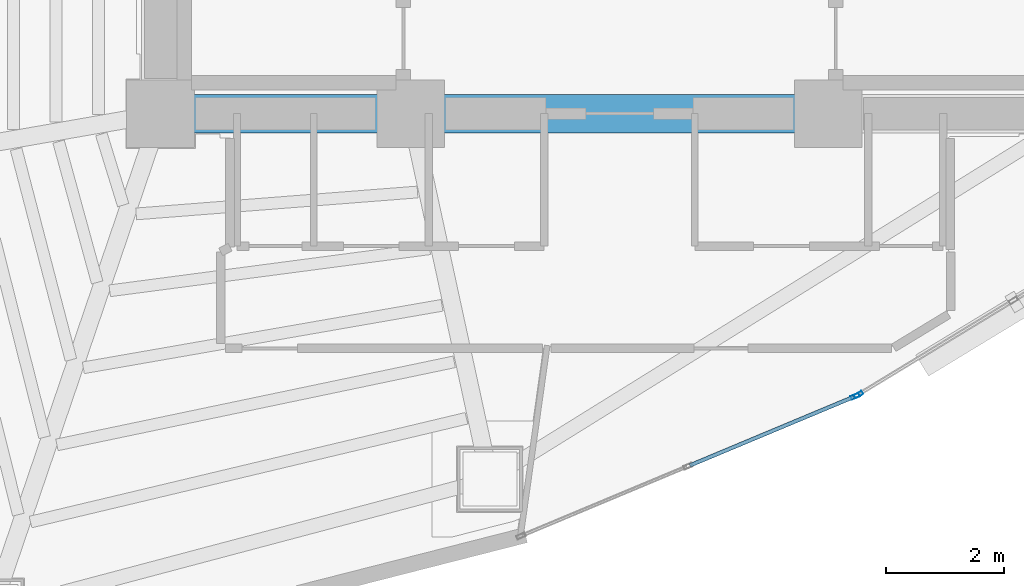
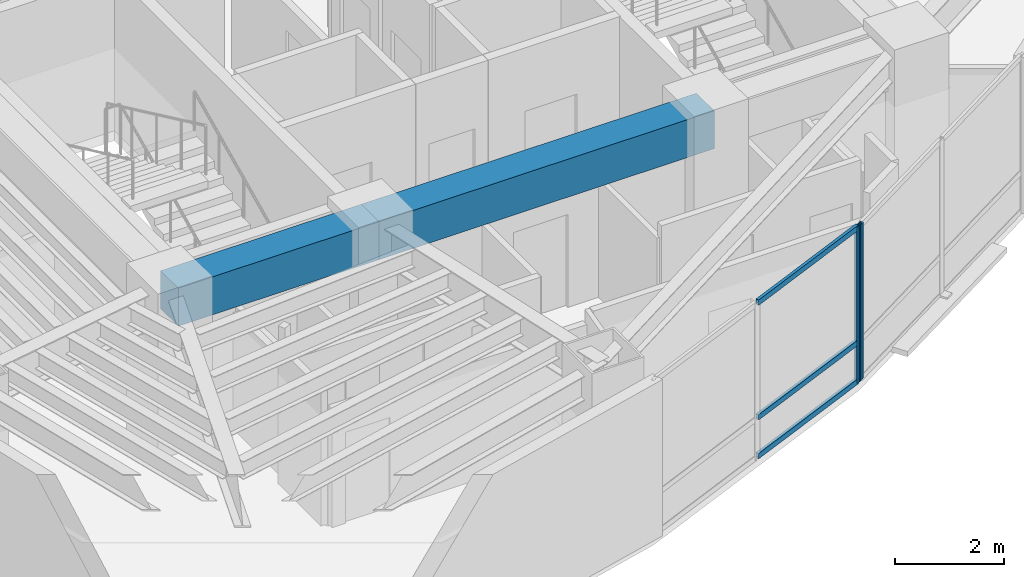
# One storey, part 4 of 15: 5 members, 2 beams, 2 elements without a shape of their own.
"""IFC4 building model written with IfcOpenShell, lengths in metres."""

from ifc_helpers import new_model, si_unit, direction, frame, origin, origin_2d, place, context, subcontext, project, spatial, rectangle, hollow_rectangle, extrude, material, layer, layer_set, material_profile, profile_set, type_object, element, aggregate, save


model = new_model("IFC4")

# Units and contexts
model_context = context("Model", 3, precision=1e-05, world=origin(), true_north=direction((0.0, 1.0)))
body_context = subcontext(model_context, "Body", "Model", "MODEL_VIEW")
ifc_project = project(units=[si_unit("LENGTHUNIT", "METRE"), si_unit("AREAUNIT", "SQUARE_METRE"), si_unit("VOLUMEUNIT", "CUBIC_METRE"), si_unit("PLANEANGLEUNIT", "RADIAN"), si_unit("MASSUNIT", "GRAM", prefix="KILO")], contexts=[model_context])

# Site, building, storey
site_placement = place(None, origin())
site = spatial("IfcSite", under=ifc_project, at=site_placement, CompositionType="ELEMENT")
building_placement = place(site_placement, origin())
building = spatial("IfcBuilding", under=site, at=building_placement, Name="Menara Vayukalpa", CompositionType="ELEMENT")
storey_placement = place(building_placement, frame((0.0, 0.0, 137.4599609375)))
storey = spatial("IfcBuildingStorey", under=building, at=storey_placement, Name="L34", CompositionType="ELEMENT", Elevation=137.4599609375)

# Beams
ifc_material_1 = material(Name="Concrete C60/75", Category="concrete")
ifc_material_profile_1 = material_profile(ifc_material_1, rectangle(XDim=0.64990234375, YDim=0.85009765625, at=origin_2d()), Name="RC 650x850")
ifc_profile_set_1 = profile_set([ifc_material_profile_1], Name="Concrete C60/75")
beam_type = type_object("IfcBeamType", Name="BM-CB1", PredefinedType="BEAM", material=ifc_profile_set_1)
beam_1_placement = place(storey_placement, frame((17.800048828125, 17.199951171875, 3.074951171875), z_axis=(1.0, 0.0, 0.0), x_axis=(0.0, 1.0, 0.0)))
element("IfcBeam", 1, at=beam_1_placement, inside=storey, type_object=beam_type, Name="L34 Core Tie Beam CBR1", PredefinedType="BEAM", context=body_context, shape_type="SweptSolid", body=[
    extrude(rectangle(XDim=0.64990234375, YDim=0.85009765625, at=origin_2d()), origin(), (0.0, 0.0, 1.0), 4.25),
])
beam_2_placement = place(storey_placement, frame((22.050048828125, 17.199951171875, 3.074951171875), z_axis=(1.0, 0.0, 0.0), x_axis=(0.0, 1.0, 0.0)))
element("IfcBeam", 2, at=beam_2_placement, inside=storey, type_object=beam_type, Name="L34 Core Tie Beam CBR2", PredefinedType="BEAM", context=body_context, shape_type="SweptSolid", body=[
    extrude(rectangle(XDim=0.64990234375, YDim=0.85009765625, at=origin_2d()), origin(), (0.0, 0.0, 1.0), 7.099853515625),
])

# Curtain wall, member
ifc_material_2 = material(Name="Anodised Terracotta Aluminium Alloy 6063-T6", Category="masonry")
ifc_layer = layer(ifc_material_2, 0.14990234375)
ifc_layer_set = layer_set([ifc_layer], Name="Anodised Terracotta Aluminium Alloy 6063-T6")
curtain_wall_type = type_object("IfcCurtainWallType", Name="CW-CW3", PredefinedType="USERDEFINED", material=ifc_layer_set)
curtain_wall_1_placement = place(storey_placement, origin())
curtain_wall_1 = element("IfcCurtainWall", 3, at=curtain_wall_1_placement, inside=storey, type_object=curtain_wall_type, Name="L34 Mid Rise Terracotta Ribbon Curtain Wall CW3 16", ObjectType="UNITISED", PredefinedType="USERDEFINED")
ifc_material_3 = material(Name="Anodised Terracotta Aluminium Alloy 6063-T6", Category="masonry")
ifc_material_profile_2 = material_profile(ifc_material_3, hollow_rectangle(XDim=0.06494140625, YDim=0.14990234375, WallThickness=0.00341796875, at=origin_2d()), Name="ALU 65x150x3.5")
ifc_profile_set_2 = profile_set([ifc_material_profile_2], Name="Anodised Terracotta Aluminium Alloy 6063-T6")
member_type_1 = type_object("IfcMemberType", Name="CWM-CW3", PredefinedType="MULLION", material=ifc_profile_set_2)
member_1_placement = place(storey_placement, frame((29.606689453125, 12.396484375, 0.0), z_axis=(0.0, 0.0, 1.0), x_axis=(-0.385886210456, 0.922546385056, 0.0)))
member_1 = element("IfcMember", 4, at=member_1_placement, type_object=member_type_1, Name="CW3 mullion 3", PredefinedType="MULLION", context=body_context, shape_type="SweptSolid", body=[
    extrude(hollow_rectangle(XDim=0.06494140625, YDim=0.14990234375, WallThickness=0.00341796875, at=origin_2d()), origin(), (0.0, 0.0, 1.0), 3.5),
])

curtain_wall_2_placement = place(storey_placement, origin())
curtain_wall_2 = element("IfcCurtainWall", 5, at=curtain_wall_2_placement, inside=storey, type_object=curtain_wall_type, Name="L34 Mid Rise Terracotta Ribbon Curtain Wall CW3 17", ObjectType="UNITISED", PredefinedType="USERDEFINED")
member_2_placement = place(storey_placement, frame((29.66455078125, 12.42578125, 0.0), z_axis=(0.0, 0.0, 1.0), x_axis=(-0.519195768176, 0.854655342409, 0.0)))
member_2 = element("IfcMember", 6, at=member_2_placement, type_object=member_type_1, Name="CW3 mullion 1", PredefinedType="MULLION", context=body_context, shape_type="SweptSolid", body=[
    extrude(hollow_rectangle(XDim=0.06494140625, YDim=0.14990234375, WallThickness=0.00341796875, at=origin_2d()), origin(), (0.0, 0.0, 1.0), 3.5),
])
aggregate(curtain_wall_2, [member_2])

# Member
ifc_material_4 = material(Name="Anodised Terracotta Aluminium Alloy 6063-T6", Category="masonry")
ifc_material_profile_3 = material_profile(ifc_material_4, hollow_rectangle(XDim=0.06494140625, YDim=0.1201171875, WallThickness=0.00341796875, at=origin_2d()), Name="ALU 65x120x3.5")
ifc_profile_set_3 = profile_set([ifc_material_profile_3], Name="Anodised Terracotta Aluminium Alloy 6063-T6")
member_type_2 = type_object("IfcMemberType", Name="CWT-CW3", PredefinedType="USERDEFINED", material=ifc_profile_set_3)
member_3_placement = place(storey_placement, frame((26.79638671875, 11.220947265625, 0.032470703125), z_axis=(0.922529540739, 0.385926478054, 0.0), x_axis=(-0.385926478054, 0.922529540739, 0.0)))
member_3 = element("IfcMember", 7, at=member_3_placement, type_object=member_type_2, Name="CW3 transom 2.1", ObjectType="TRANSOM", PredefinedType="USERDEFINED", context=body_context, shape_type="SweptSolid", body=[
    extrude(hollow_rectangle(XDim=0.06494140625, YDim=0.1201171875, WallThickness=0.00341796875, at=origin_2d()), origin(), (0.0, 0.0, 1.0), 3.013671875),
])

member_4_placement = place(storey_placement, frame((26.79638671875, 11.220947265625, 0.900146484375), z_axis=(0.922529540739, 0.385926478054, 0.0), x_axis=(-0.385926478054, 0.922529540739, 0.0)))
member_4 = element("IfcMember", 8, at=member_4_placement, type_object=member_type_2, Name="CW3 transom 2.2", ObjectType="TRANSOM", PredefinedType="USERDEFINED", context=body_context, shape_type="SweptSolid", body=[
    extrude(hollow_rectangle(XDim=0.06494140625, YDim=0.1201171875, WallThickness=0.00341796875, at=origin_2d()), origin(), (0.0, 0.0, 1.0), 3.013671875),
])

member_5_placement = place(storey_placement, frame((26.79638671875, 11.220947265625, 3.467529296875), z_axis=(0.922529540739, 0.385926478054, 0.0), x_axis=(-0.385926478054, 0.922529540739, 0.0)))
member_5 = element("IfcMember", 9, at=member_5_placement, type_object=member_type_2, Name="CW3 transom 2.3", ObjectType="TRANSOM", PredefinedType="USERDEFINED", context=body_context, shape_type="SweptSolid", body=[
    extrude(hollow_rectangle(XDim=0.06494140625, YDim=0.1201171875, WallThickness=0.00341796875, at=origin_2d()), origin(), (0.0, 0.0, 1.0), 3.013671875),
])

aggregate(curtain_wall_1, [member_1, member_3, member_4, member_5])

save(model, "model.ifc")
